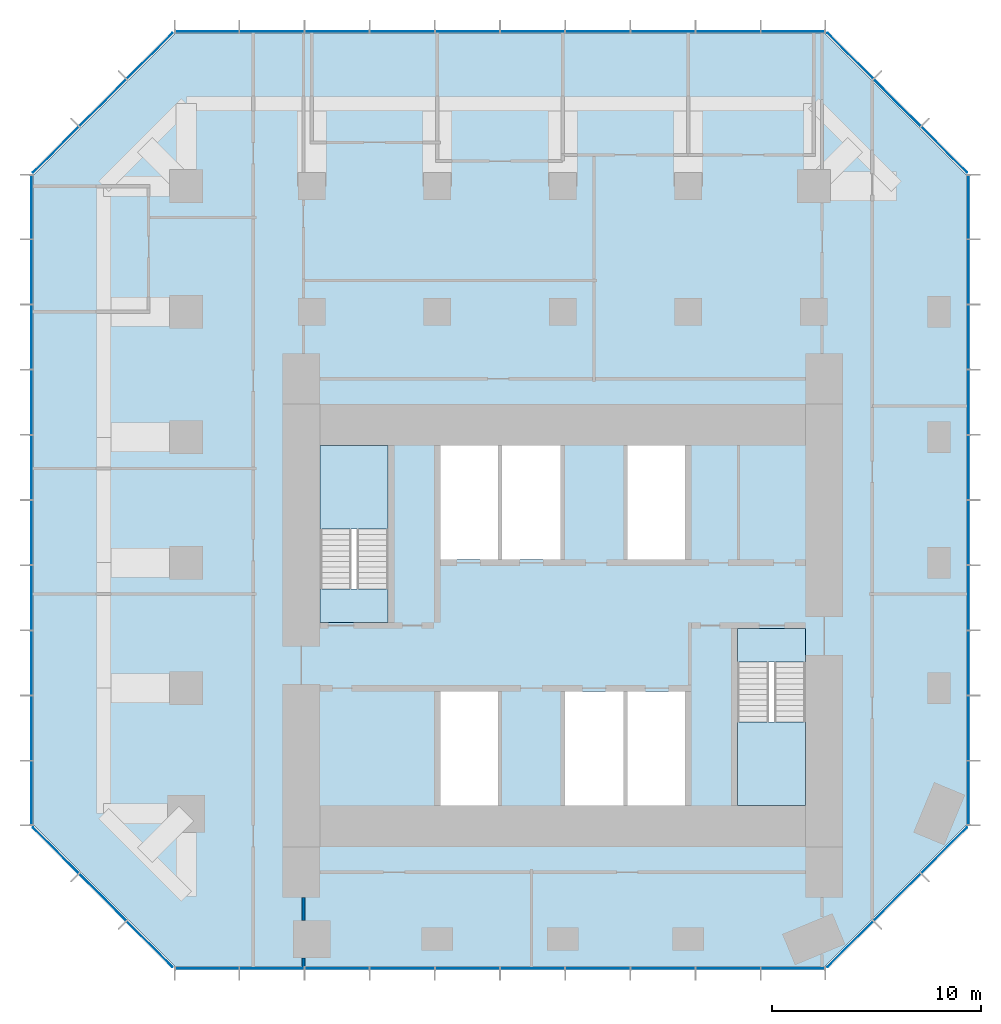
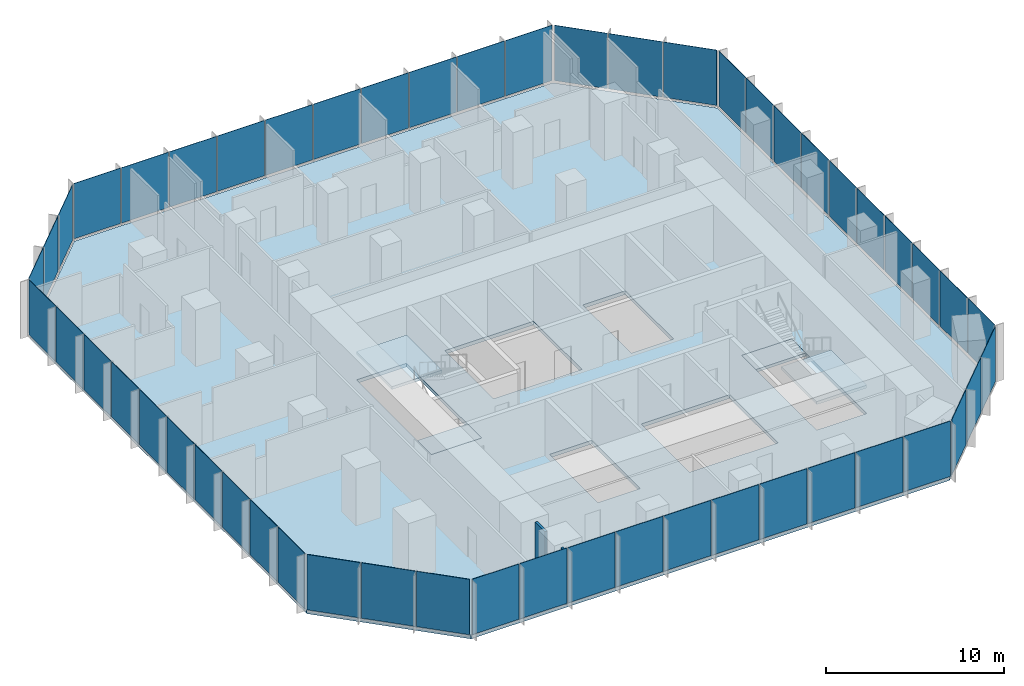
# One storey, part 7 of 11: 52 plates, 5 slabs, 2 walls, 10 elements without a shape of their own.
"""IFC4 building model written with IfcOpenShell, lengths in metres."""

from ifc_helpers import new_model, si_unit, direction, frame, frame_2d, origin, origin_2d, place, context, subcontext, project, spatial, polyline, rectangle, outline, extrude, material, layer, layer_set, type_object, element, aggregate, save


model = new_model("IFC4")

# Units and contexts
model_context = context("Model", 3, precision=1e-05, world=origin(), true_north=direction((0.0, 1.0)))
body_context = subcontext(model_context, "Body", "Model", "MODEL_VIEW")
ifc_project = project(units=[si_unit("LENGTHUNIT", "METRE"), si_unit("AREAUNIT", "SQUARE_METRE"), si_unit("VOLUMEUNIT", "CUBIC_METRE"), si_unit("PLANEANGLEUNIT", "RADIAN"), si_unit("MASSUNIT", "GRAM", prefix="KILO")], contexts=[model_context])

# Site, building, storey
site_placement = place(None, origin())
site = spatial("IfcSite", under=ifc_project, at=site_placement, CompositionType="ELEMENT")
building_placement = place(site_placement, origin())
building = spatial("IfcBuilding", under=site, at=building_placement, Name="Highveld Stack Headquarters", CompositionType="ELEMENT")
storey_placement = place(building_placement, frame((0.0, 0.0, 192.800048828125)))
storey = spatial("IfcBuildingStorey", under=building, at=storey_placement, Name="L47", CompositionType="ELEMENT", Elevation=192.800048828125)

# Curtain wall, plates
ifc_material_1 = material(Name="Aluminium bronze anodised", Category="aluminium")
ifc_layer_1 = layer(ifc_material_1, 0.199951171875)
ifc_layer_set_1 = layer_set([ifc_layer_1], Name="Aluminium bronze anodised")
curtain_wall_type_1 = type_object("IfcCurtainWallType", Name="CW1 TOWER UNITISED CURTAIN WALL", PredefinedType="NOTDEFINED", material=ifc_layer_set_1)
curtain_wall_1_placement = place(storey_placement, origin())
curtain_wall_1 = element("IfcCurtainWall", 1, at=curtain_wall_1_placement, inside=storey, type_object=curtain_wall_type_1, Name="Curtain wall CW1 L47 S", PredefinedType="NOTDEFINED")
ifc_material_2 = material(Name="Glass bronze tinted double glazed unit", Category="glass")
ifc_layer_2 = layer(ifc_material_2, 0.028076171875)
ifc_layer_set_2 = layer_set([ifc_layer_2], Name="Glass bronze tinted double glazed unit")
plate_type_1 = type_object("IfcPlateType", Name="CW1 PANEL BRONZE TINTED DOUBLE GLAZED UNIT", PredefinedType="CURTAIN_PANEL", material=ifc_layer_set_2)
plate_1_placement = place(storey_placement, frame((-11.005615234375, -13.39990234375, 0.10009765625), z_axis=(0.0, 0.0, 1.0), x_axis=(1.0, 0.0, 0.0)))
plate_1 = element("IfcPlate", 2, at=plate_1_placement, type_object=plate_type_1, Name="CW1 panel L47 1.1", PredefinedType="CURTAIN_PANEL", context=body_context, shape_type="SweptSolid", body=[
    extrude(rectangle(XDim=3.0185546875, YDim=0.028076171875, at=origin_2d()), origin(), (0.0, 0.0, 1.0), 3.800048828125),
])
plate_2_placement = place(storey_placement, frame((-7.906005859375, -13.39990234375, 0.10009765625), z_axis=(0.0, 0.0, 1.0), x_axis=(1.0, 0.0, 0.0)))
plate_2 = element("IfcPlate", 3, at=plate_2_placement, type_object=plate_type_1, Name="CW1 panel L47 2.1", PredefinedType="CURTAIN_PANEL", context=body_context, shape_type="SweptSolid", body=[
    extrude(rectangle(XDim=3.051025390625, YDim=0.028076171875, at=origin_2d()), origin(), (0.0, 0.0, 1.0), 3.800048828125),
])
plate_3_placement = place(storey_placement, frame((-4.7900390625, -13.39990234375, 0.10009765625), z_axis=(0.0, 0.0, 1.0), x_axis=(1.0, 0.0, 0.0)))
plate_3 = element("IfcPlate", 4, at=plate_3_placement, type_object=plate_type_1, Name="CW1 panel L47 3.1", PredefinedType="CURTAIN_PANEL", context=body_context, shape_type="SweptSolid", body=[
    extrude(rectangle(XDim=3.051025390625, YDim=0.028076171875, at=origin_2d()), origin(), (0.0, 0.0, 1.0), 3.800048828125),
])
plate_4_placement = place(storey_placement, frame((-1.674072265625, -13.39990234375, 0.10009765625), z_axis=(0.0, 0.0, 1.0), x_axis=(1.0, 0.0, 0.0)))
plate_4 = element("IfcPlate", 5, at=plate_4_placement, type_object=plate_type_1, Name="CW1 panel L47 4.1", PredefinedType="CURTAIN_PANEL", context=body_context, shape_type="SweptSolid", body=[
    extrude(rectangle(XDim=3.051025390625, YDim=0.028076171875, at=origin_2d()), origin(), (0.0, 0.0, 1.0), 3.800048828125),
])
plate_5_placement = place(storey_placement, frame((1.44189453125, -13.39990234375, 0.10009765625), z_axis=(0.0, 0.0, 1.0), x_axis=(1.0, 0.0, 0.0)))
plate_5 = element("IfcPlate", 6, at=plate_5_placement, type_object=plate_type_1, Name="CW1 panel L47 5.1", PredefinedType="CURTAIN_PANEL", context=body_context, shape_type="SweptSolid", body=[
    extrude(rectangle(XDim=3.051025390625, YDim=0.028076171875, at=origin_2d()), origin(), (0.0, 0.0, 1.0), 3.800048828125),
])
plate_6_placement = place(storey_placement, frame((4.55810546875, -13.39990234375, 0.10009765625), z_axis=(0.0, 0.0, 1.0), x_axis=(1.0, 0.0, 0.0)))
plate_6 = element("IfcPlate", 7, at=plate_6_placement, type_object=plate_type_1, Name="CW1 panel L47 6.1", PredefinedType="CURTAIN_PANEL", context=body_context, shape_type="SweptSolid", body=[
    extrude(rectangle(XDim=3.051025390625, YDim=0.028076171875, at=origin_2d()), origin(), (0.0, 0.0, 1.0), 3.800048828125),
])
plate_7_placement = place(storey_placement, frame((7.674072265625, -13.39990234375, 0.10009765625), z_axis=(0.0, 0.0, 1.0), x_axis=(1.0, 0.0, 0.0)))
plate_7 = element("IfcPlate", 8, at=plate_7_placement, type_object=plate_type_1, Name="CW1 panel L47 7.1", PredefinedType="CURTAIN_PANEL", context=body_context, shape_type="SweptSolid", body=[
    extrude(rectangle(XDim=3.051025390625, YDim=0.028076171875, at=origin_2d()), origin(), (0.0, 0.0, 1.0), 3.800048828125),
])
plate_8_placement = place(storey_placement, frame((10.789794921875, -13.39990234375, 0.10009765625), z_axis=(0.0, 0.0, 1.0), x_axis=(1.0, 0.0, 0.0)))
plate_8 = element("IfcPlate", 9, at=plate_8_placement, type_object=plate_type_1, Name="CW1 panel L47 8.1", PredefinedType="CURTAIN_PANEL", context=body_context, shape_type="SweptSolid", body=[
    extrude(rectangle(XDim=3.051025390625, YDim=0.028076171875, at=origin_2d()), origin(), (0.0, 0.0, 1.0), 3.800048828125),
])
plate_9_placement = place(storey_placement, frame((13.906005859375, -13.39990234375, 0.10009765625), z_axis=(0.0, 0.0, 1.0), x_axis=(1.0, 0.0, 0.0)))
plate_9 = element("IfcPlate", 10, at=plate_9_placement, type_object=plate_type_1, Name="CW1 panel L47 9.1", PredefinedType="CURTAIN_PANEL", context=body_context, shape_type="SweptSolid", body=[
    extrude(rectangle(XDim=3.051025390625, YDim=0.028076171875, at=origin_2d()), origin(), (0.0, 0.0, 1.0), 3.800048828125),
])
plate_10_placement = place(storey_placement, frame((17.005615234375, -13.39990234375, 0.10009765625), z_axis=(0.0, 0.0, 1.0), x_axis=(1.0, 0.0, 0.0)))
plate_10 = element("IfcPlate", 11, at=plate_10_placement, type_object=plate_type_1, Name="CW1 panel L47 10.1", PredefinedType="CURTAIN_PANEL", context=body_context, shape_type="SweptSolid", body=[
    extrude(rectangle(XDim=3.0185546875, YDim=0.028076171875, at=origin_2d()), origin(), (0.0, 0.0, 1.0), 3.800048828125),
])
aggregate(curtain_wall_1, [plate_1, plate_2, plate_3, plate_4, plate_5, plate_6, plate_7, plate_8, plate_9, plate_10])

curtain_wall_2_placement = place(storey_placement, origin())
curtain_wall_2 = element("IfcCurtainWall", 12, at=curtain_wall_2_placement, inside=storey, type_object=curtain_wall_type_1, Name="Curtain wall CW1 L47 E", PredefinedType="NOTDEFINED")
plate_11_placement = place(storey_placement, frame((25.39990234375, -5.005615234375, 0.10009765625), z_axis=(0.0, 0.0, 1.0), x_axis=(0.0, 1.0, 0.0)))
plate_11 = element("IfcPlate", 13, at=plate_11_placement, type_object=plate_type_1, Name="CW1 panel L47 1.1", PredefinedType="CURTAIN_PANEL", context=body_context, shape_type="SweptSolid", body=[
    extrude(rectangle(XDim=3.0185546875, YDim=0.028076171875, at=origin_2d()), origin(), (0.0, 0.0, 1.0), 3.800048828125),
])
plate_12_placement = place(storey_placement, frame((25.39990234375, -1.906005859375, 0.10009765625), z_axis=(0.0, 0.0, 1.0), x_axis=(0.0, 1.0, 0.0)))
plate_12 = element("IfcPlate", 14, at=plate_12_placement, type_object=plate_type_1, Name="CW1 panel L47 2.1", PredefinedType="CURTAIN_PANEL", context=body_context, shape_type="SweptSolid", body=[
    extrude(rectangle(XDim=3.051025390625, YDim=0.028076171875, at=origin_2d()), origin(), (0.0, 0.0, 1.0), 3.800048828125),
])
plate_13_placement = place(storey_placement, frame((25.39990234375, 1.2099609375, 0.10009765625), z_axis=(0.0, 0.0, 1.0), x_axis=(0.0, 1.0, 0.0)))
plate_13 = element("IfcPlate", 15, at=plate_13_placement, type_object=plate_type_1, Name="CW1 panel L47 3.1", PredefinedType="CURTAIN_PANEL", context=body_context, shape_type="SweptSolid", body=[
    extrude(rectangle(XDim=3.051025390625, YDim=0.028076171875, at=origin_2d()), origin(), (0.0, 0.0, 1.0), 3.800048828125),
])
plate_14_placement = place(storey_placement, frame((25.39990234375, 4.325927734375, 0.10009765625), z_axis=(0.0, 0.0, 1.0), x_axis=(0.0, 1.0, 0.0)))
plate_14 = element("IfcPlate", 16, at=plate_14_placement, type_object=plate_type_1, Name="CW1 panel L47 4.1", PredefinedType="CURTAIN_PANEL", context=body_context, shape_type="SweptSolid", body=[
    extrude(rectangle(XDim=3.051025390625, YDim=0.028076171875, at=origin_2d()), origin(), (0.0, 0.0, 1.0), 3.800048828125),
])
plate_15_placement = place(storey_placement, frame((25.39990234375, 7.44189453125, 0.10009765625), z_axis=(0.0, 0.0, 1.0), x_axis=(0.0, 1.0, 0.0)))
plate_15 = element("IfcPlate", 17, at=plate_15_placement, type_object=plate_type_1, Name="CW1 panel L47 5.1", PredefinedType="CURTAIN_PANEL", context=body_context, shape_type="SweptSolid", body=[
    extrude(rectangle(XDim=3.051025390625, YDim=0.028076171875, at=origin_2d()), origin(), (0.0, 0.0, 1.0), 3.800048828125),
])
plate_16_placement = place(storey_placement, frame((25.39990234375, 10.55810546875, 0.10009765625), z_axis=(0.0, 0.0, 1.0), x_axis=(0.0, 1.0, 0.0)))
plate_16 = element("IfcPlate", 18, at=plate_16_placement, type_object=plate_type_1, Name="CW1 panel L47 6.1", PredefinedType="CURTAIN_PANEL", context=body_context, shape_type="SweptSolid", body=[
    extrude(rectangle(XDim=3.051025390625, YDim=0.028076171875, at=origin_2d()), origin(), (0.0, 0.0, 1.0), 3.800048828125),
])
plate_17_placement = place(storey_placement, frame((25.39990234375, 13.674072265625, 0.10009765625), z_axis=(0.0, 0.0, 1.0), x_axis=(0.0, 1.0, 0.0)))
plate_17 = element("IfcPlate", 19, at=plate_17_placement, type_object=plate_type_1, Name="CW1 panel L47 7.1", PredefinedType="CURTAIN_PANEL", context=body_context, shape_type="SweptSolid", body=[
    extrude(rectangle(XDim=3.051025390625, YDim=0.028076171875, at=origin_2d()), origin(), (0.0, 0.0, 1.0), 3.800048828125),
])
plate_18_placement = place(storey_placement, frame((25.39990234375, 16.789794921875, 0.10009765625), z_axis=(0.0, 0.0, 1.0), x_axis=(0.0, 1.0, 0.0)))
plate_18 = element("IfcPlate", 20, at=plate_18_placement, type_object=plate_type_1, Name="CW1 panel L47 8.1", PredefinedType="CURTAIN_PANEL", context=body_context, shape_type="SweptSolid", body=[
    extrude(rectangle(XDim=3.051025390625, YDim=0.028076171875, at=origin_2d()), origin(), (0.0, 0.0, 1.0), 3.800048828125),
])
plate_19_placement = place(storey_placement, frame((25.39990234375, 19.906005859375, 0.10009765625), z_axis=(0.0, 0.0, 1.0), x_axis=(0.0, 1.0, 0.0)))
plate_19 = element("IfcPlate", 21, at=plate_19_placement, type_object=plate_type_1, Name="CW1 panel L47 9.1", PredefinedType="CURTAIN_PANEL", context=body_context, shape_type="SweptSolid", body=[
    extrude(rectangle(XDim=3.051025390625, YDim=0.028076171875, at=origin_2d()), origin(), (0.0, 0.0, 1.0), 3.800048828125),
])
plate_20_placement = place(storey_placement, frame((25.39990234375, 23.005615234375, 0.10009765625), z_axis=(0.0, 0.0, 1.0), x_axis=(0.0, 1.0, 0.0)))
plate_20 = element("IfcPlate", 22, at=plate_20_placement, type_object=plate_type_1, Name="CW1 panel L47 10.1", PredefinedType="CURTAIN_PANEL", context=body_context, shape_type="SweptSolid", body=[
    extrude(rectangle(XDim=3.0185546875, YDim=0.028076171875, at=origin_2d()), origin(), (0.0, 0.0, 1.0), 3.800048828125),
])
aggregate(curtain_wall_2, [plate_11, plate_12, plate_13, plate_14, plate_15, plate_16, plate_17, plate_18, plate_19, plate_20])

curtain_wall_3_placement = place(storey_placement, origin())
curtain_wall_3 = element("IfcCurtainWall", 23, at=curtain_wall_3_placement, inside=storey, type_object=curtain_wall_type_1, Name="Curtain wall CW1 L47 N", PredefinedType="NOTDEFINED")
plate_21_placement = place(storey_placement, frame((17.005615234375, 31.39990234375, 0.10009765625), z_axis=(0.0, 0.0, 1.0), x_axis=(-1.0, 0.0, 0.0)))
plate_21 = element("IfcPlate", 24, at=plate_21_placement, type_object=plate_type_1, Name="CW1 panel L47 1.1", PredefinedType="CURTAIN_PANEL", context=body_context, shape_type="SweptSolid", body=[
    extrude(rectangle(XDim=3.0185546875, YDim=0.028076171875, at=origin_2d()), origin(), (0.0, 0.0, 1.0), 3.800048828125),
])
plate_22_placement = place(storey_placement, frame((13.906005859375, 31.39990234375, 0.10009765625), z_axis=(0.0, 0.0, 1.0), x_axis=(-1.0, 0.0, 0.0)))
plate_22 = element("IfcPlate", 25, at=plate_22_placement, type_object=plate_type_1, Name="CW1 panel L47 2.1", PredefinedType="CURTAIN_PANEL", context=body_context, shape_type="SweptSolid", body=[
    extrude(rectangle(XDim=3.051025390625, YDim=0.028076171875, at=origin_2d()), origin(), (0.0, 0.0, 1.0), 3.800048828125),
])
plate_23_placement = place(storey_placement, frame((10.7900390625, 31.39990234375, 0.10009765625), z_axis=(0.0, 0.0, 1.0), x_axis=(-1.0, 0.0, 0.0)))
plate_23 = element("IfcPlate", 26, at=plate_23_placement, type_object=plate_type_1, Name="CW1 panel L47 3.1", PredefinedType="CURTAIN_PANEL", context=body_context, shape_type="SweptSolid", body=[
    extrude(rectangle(XDim=3.051025390625, YDim=0.028076171875, at=origin_2d()), origin(), (0.0, 0.0, 1.0), 3.800048828125),
])
plate_24_placement = place(storey_placement, frame((7.674072265625, 31.39990234375, 0.10009765625), z_axis=(0.0, 0.0, 1.0), x_axis=(-1.0, 0.0, 0.0)))
plate_24 = element("IfcPlate", 27, at=plate_24_placement, type_object=plate_type_1, Name="CW1 panel L47 4.1", PredefinedType="CURTAIN_PANEL", context=body_context, shape_type="SweptSolid", body=[
    extrude(rectangle(XDim=3.051025390625, YDim=0.028076171875, at=origin_2d()), origin(), (0.0, 0.0, 1.0), 3.800048828125),
])
plate_25_placement = place(storey_placement, frame((4.55810546875, 31.39990234375, 0.10009765625), z_axis=(0.0, 0.0, 1.0), x_axis=(-1.0, 0.0, 0.0)))
plate_25 = element("IfcPlate", 28, at=plate_25_placement, type_object=plate_type_1, Name="CW1 panel L47 5.1", PredefinedType="CURTAIN_PANEL", context=body_context, shape_type="SweptSolid", body=[
    extrude(rectangle(XDim=3.051025390625, YDim=0.028076171875, at=origin_2d()), origin(), (0.0, 0.0, 1.0), 3.800048828125),
])
plate_26_placement = place(storey_placement, frame((1.44189453125, 31.39990234375, 0.10009765625), z_axis=(0.0, 0.0, 1.0), x_axis=(-1.0, 0.0, 0.0)))
plate_26 = element("IfcPlate", 29, at=plate_26_placement, type_object=plate_type_1, Name="CW1 panel L47 6.1", PredefinedType="CURTAIN_PANEL", context=body_context, shape_type="SweptSolid", body=[
    extrude(rectangle(XDim=3.051025390625, YDim=0.028076171875, at=origin_2d()), origin(), (0.0, 0.0, 1.0), 3.800048828125),
])
plate_27_placement = place(storey_placement, frame((-1.674072265625, 31.39990234375, 0.10009765625), z_axis=(0.0, 0.0, 1.0), x_axis=(-1.0, 0.0, 0.0)))
plate_27 = element("IfcPlate", 30, at=plate_27_placement, type_object=plate_type_1, Name="CW1 panel L47 7.1", PredefinedType="CURTAIN_PANEL", context=body_context, shape_type="SweptSolid", body=[
    extrude(rectangle(XDim=3.051025390625, YDim=0.028076171875, at=origin_2d()), origin(), (0.0, 0.0, 1.0), 3.800048828125),
])
plate_28_placement = place(storey_placement, frame((-4.789794921875, 31.39990234375, 0.10009765625), z_axis=(0.0, 0.0, 1.0), x_axis=(-1.0, 0.0, 0.0)))
plate_28 = element("IfcPlate", 31, at=plate_28_placement, type_object=plate_type_1, Name="CW1 panel L47 8.1", PredefinedType="CURTAIN_PANEL", context=body_context, shape_type="SweptSolid", body=[
    extrude(rectangle(XDim=3.051025390625, YDim=0.028076171875, at=origin_2d()), origin(), (0.0, 0.0, 1.0), 3.800048828125),
])
plate_29_placement = place(storey_placement, frame((-7.906005859375, 31.39990234375, 0.10009765625), z_axis=(0.0, 0.0, 1.0), x_axis=(-1.0, 0.0, 0.0)))
plate_29 = element("IfcPlate", 32, at=plate_29_placement, type_object=plate_type_1, Name="CW1 panel L47 9.1", PredefinedType="CURTAIN_PANEL", context=body_context, shape_type="SweptSolid", body=[
    extrude(rectangle(XDim=3.051025390625, YDim=0.028076171875, at=origin_2d()), origin(), (0.0, 0.0, 1.0), 3.800048828125),
])
plate_30_placement = place(storey_placement, frame((-11.005615234375, 31.39990234375, 0.10009765625), z_axis=(0.0, 0.0, 1.0), x_axis=(-1.0, 0.0, 0.0)))
plate_30 = element("IfcPlate", 33, at=plate_30_placement, type_object=plate_type_1, Name="CW1 panel L47 10.1", PredefinedType="CURTAIN_PANEL", context=body_context, shape_type="SweptSolid", body=[
    extrude(rectangle(XDim=3.0185546875, YDim=0.028076171875, at=origin_2d()), origin(), (0.0, 0.0, 1.0), 3.800048828125),
])
aggregate(curtain_wall_3, [plate_21, plate_22, plate_23, plate_24, plate_25, plate_26, plate_27, plate_28, plate_29, plate_30])

curtain_wall_4_placement = place(storey_placement, origin())
curtain_wall_4 = element("IfcCurtainWall", 34, at=curtain_wall_4_placement, inside=storey, type_object=curtain_wall_type_1, Name="Curtain wall CW1 L47 W", PredefinedType="NOTDEFINED")
plate_31_placement = place(storey_placement, frame((-19.39990234375, 23.005615234375, 0.10009765625), z_axis=(0.0, 0.0, 1.0), x_axis=(0.0, -1.0, 0.0)))
plate_31 = element("IfcPlate", 35, at=plate_31_placement, type_object=plate_type_1, Name="CW1 panel L47 1.1", PredefinedType="CURTAIN_PANEL", context=body_context, shape_type="SweptSolid", body=[
    extrude(rectangle(XDim=3.0185546875, YDim=0.028076171875, at=origin_2d()), origin(), (0.0, 0.0, 1.0), 3.800048828125),
])
plate_32_placement = place(storey_placement, frame((-19.39990234375, 19.906005859375, 0.10009765625), z_axis=(0.0, 0.0, 1.0), x_axis=(0.0, -1.0, 0.0)))
plate_32 = element("IfcPlate", 36, at=plate_32_placement, type_object=plate_type_1, Name="CW1 panel L47 2.1", PredefinedType="CURTAIN_PANEL", context=body_context, shape_type="SweptSolid", body=[
    extrude(rectangle(XDim=3.051025390625, YDim=0.028076171875, at=origin_2d()), origin(), (0.0, 0.0, 1.0), 3.800048828125),
])
plate_33_placement = place(storey_placement, frame((-19.39990234375, 16.7900390625, 0.10009765625), z_axis=(0.0, 0.0, 1.0), x_axis=(0.0, -1.0, 0.0)))
plate_33 = element("IfcPlate", 37, at=plate_33_placement, type_object=plate_type_1, Name="CW1 panel L47 3.1", PredefinedType="CURTAIN_PANEL", context=body_context, shape_type="SweptSolid", body=[
    extrude(rectangle(XDim=3.051025390625, YDim=0.028076171875, at=origin_2d()), origin(), (0.0, 0.0, 1.0), 3.800048828125),
])
plate_34_placement = place(storey_placement, frame((-19.39990234375, 13.674072265625, 0.10009765625), z_axis=(0.0, 0.0, 1.0), x_axis=(0.0, -1.0, 0.0)))
plate_34 = element("IfcPlate", 38, at=plate_34_placement, type_object=plate_type_1, Name="CW1 panel L47 4.1", PredefinedType="CURTAIN_PANEL", context=body_context, shape_type="SweptSolid", body=[
    extrude(rectangle(XDim=3.051025390625, YDim=0.028076171875, at=origin_2d()), origin(), (0.0, 0.0, 1.0), 3.800048828125),
])
plate_35_placement = place(storey_placement, frame((-19.39990234375, 10.55810546875, 0.10009765625), z_axis=(0.0, 0.0, 1.0), x_axis=(0.0, -1.0, 0.0)))
plate_35 = element("IfcPlate", 39, at=plate_35_placement, type_object=plate_type_1, Name="CW1 panel L47 5.1", PredefinedType="CURTAIN_PANEL", context=body_context, shape_type="SweptSolid", body=[
    extrude(rectangle(XDim=3.051025390625, YDim=0.028076171875, at=origin_2d()), origin(), (0.0, 0.0, 1.0), 3.800048828125),
])
plate_36_placement = place(storey_placement, frame((-19.39990234375, 7.44189453125, 0.10009765625), z_axis=(0.0, 0.0, 1.0), x_axis=(0.0, -1.0, 0.0)))
plate_36 = element("IfcPlate", 40, at=plate_36_placement, type_object=plate_type_1, Name="CW1 panel L47 6.1", PredefinedType="CURTAIN_PANEL", context=body_context, shape_type="SweptSolid", body=[
    extrude(rectangle(XDim=3.051025390625, YDim=0.028076171875, at=origin_2d()), origin(), (0.0, 0.0, 1.0), 3.800048828125),
])
plate_37_placement = place(storey_placement, frame((-19.39990234375, 4.325927734375, 0.10009765625), z_axis=(0.0, 0.0, 1.0), x_axis=(0.0, -1.0, 0.0)))
plate_37 = element("IfcPlate", 41, at=plate_37_placement, type_object=plate_type_1, Name="CW1 panel L47 7.1", PredefinedType="CURTAIN_PANEL", context=body_context, shape_type="SweptSolid", body=[
    extrude(rectangle(XDim=3.051025390625, YDim=0.028076171875, at=origin_2d()), origin(), (0.0, 0.0, 1.0), 3.800048828125),
])
plate_38_placement = place(storey_placement, frame((-19.39990234375, 1.210205078125, 0.10009765625), z_axis=(0.0, 0.0, 1.0), x_axis=(0.0, -1.0, 0.0)))
plate_38 = element("IfcPlate", 42, at=plate_38_placement, type_object=plate_type_1, Name="CW1 panel L47 8.1", PredefinedType="CURTAIN_PANEL", context=body_context, shape_type="SweptSolid", body=[
    extrude(rectangle(XDim=3.051025390625, YDim=0.028076171875, at=origin_2d()), origin(), (0.0, 0.0, 1.0), 3.800048828125),
])
plate_39_placement = place(storey_placement, frame((-19.39990234375, -1.906005859375, 0.10009765625), z_axis=(0.0, 0.0, 1.0), x_axis=(0.0, -1.0, 0.0)))
plate_39 = element("IfcPlate", 43, at=plate_39_placement, type_object=plate_type_1, Name="CW1 panel L47 9.1", PredefinedType="CURTAIN_PANEL", context=body_context, shape_type="SweptSolid", body=[
    extrude(rectangle(XDim=3.051025390625, YDim=0.028076171875, at=origin_2d()), origin(), (0.0, 0.0, 1.0), 3.800048828125),
])
plate_40_placement = place(storey_placement, frame((-19.39990234375, -5.005615234375, 0.10009765625), z_axis=(0.0, 0.0, 1.0), x_axis=(0.0, -1.0, 0.0)))
plate_40 = element("IfcPlate", 44, at=plate_40_placement, type_object=plate_type_1, Name="CW1 panel L47 10.1", PredefinedType="CURTAIN_PANEL", context=body_context, shape_type="SweptSolid", body=[
    extrude(rectangle(XDim=3.0185546875, YDim=0.028076171875, at=origin_2d()), origin(), (0.0, 0.0, 1.0), 3.800048828125),
])
aggregate(curtain_wall_4, [plate_31, plate_32, plate_33, plate_34, plate_35, plate_36, plate_37, plate_38, plate_39, plate_40])

ifc_material_3 = material(Name="Aluminium bronze anodised", Category="aluminium")
ifc_layer_3 = layer(ifc_material_3, 0.199951171875)
ifc_layer_set_3 = layer_set([ifc_layer_3], Name="Aluminium bronze anodised")
curtain_wall_type_2 = type_object("IfcCurtainWallType", Name="CW2 TOWER CHAMFER UNITISED CURTAIN WALL", PredefinedType="NOTDEFINED", material=ifc_layer_set_3)
curtain_wall_5_placement = place(storey_placement, origin())
curtain_wall_5 = element("IfcCurtainWall", 45, at=curtain_wall_5_placement, inside=storey, type_object=curtain_wall_type_2, Name="Curtain wall CW2 L47 SE", PredefinedType="NOTDEFINED")
ifc_material_4 = material(Name="Glass bronze tinted double glazed unit", Category="glass")
ifc_layer_4 = layer(ifc_material_4, 0.028076171875)
ifc_layer_set_4 = layer_set([ifc_layer_4], Name="Glass bronze tinted double glazed unit")
plate_type_2 = type_object("IfcPlateType", Name="CW2 PANEL BRONZE TINTED DOUBLE GLAZED UNIT", PredefinedType="CURTAIN_PANEL", material=ifc_layer_set_4)
plate_41_placement = place(storey_placement, frame((19.740478515625, -12.239501953125, 0.10009765625), z_axis=(0.0, 0.0, 1.0), x_axis=(0.707106781187, 0.707106781187, 0.0)))
plate_41 = element("IfcPlate", 46, at=plate_41_placement, type_object=plate_type_2, Name="CW2 panel L47 1.1", PredefinedType="CURTAIN_PANEL", context=body_context, shape_type="SweptSolid", body=[
    extrude(rectangle(XDim=3.08251953125, YDim=0.028076171875, at=origin_2d()), origin(), (0.0, 0.0, 1.0), 3.800048828125),
])
plate_42_placement = place(storey_placement, frame((21.989990234375, -9.989990234375, 0.10009765625), z_axis=(0.0, 0.0, 1.0), x_axis=(0.707106781187, 0.707106781187, 0.0)))
plate_42 = element("IfcPlate", 47, at=plate_42_placement, type_object=plate_type_2, Name="CW2 panel L47 2.1", PredefinedType="CURTAIN_PANEL", context=body_context, shape_type="SweptSolid", body=[
    extrude(rectangle(XDim=3.14990234375, YDim=0.028076171875, at=origin_2d()), origin(), (0.0, 0.0, 1.0), 3.800048828125),
])
plate_43_placement = place(storey_placement, frame((24.239501953125, -7.740478515625, 0.10009765625), z_axis=(0.0, 0.0, 1.0), x_axis=(0.707106781187, 0.707106781187, 0.0)))
plate_43 = element("IfcPlate", 48, at=plate_43_placement, type_object=plate_type_2, Name="CW2 panel L47 3.1", PredefinedType="CURTAIN_PANEL", context=body_context, shape_type="SweptSolid", body=[
    extrude(rectangle(XDim=3.08251953125, YDim=0.028076171875, at=origin_2d()), origin(), (0.0, 0.0, 1.0), 3.800048828125),
])
aggregate(curtain_wall_5, [plate_41, plate_42, plate_43])

curtain_wall_6_placement = place(storey_placement, origin())
curtain_wall_6 = element("IfcCurtainWall", 49, at=curtain_wall_6_placement, inside=storey, type_object=curtain_wall_type_2, Name="Curtain wall CW2 L47 NE", PredefinedType="NOTDEFINED")
plate_44_placement = place(storey_placement, frame((24.239501953125, 25.740478515625, 0.10009765625), z_axis=(0.0, 0.0, 1.0), x_axis=(-0.707106781187, 0.707106781187, 0.0)))
plate_44 = element("IfcPlate", 50, at=plate_44_placement, type_object=plate_type_2, Name="CW2 panel L47 1.1", PredefinedType="CURTAIN_PANEL", context=body_context, shape_type="SweptSolid", body=[
    extrude(rectangle(XDim=3.08251953125, YDim=0.028076171875, at=origin_2d()), origin(), (0.0, 0.0, 1.0), 3.800048828125),
])
plate_45_placement = place(storey_placement, frame((21.989990234375, 27.989990234375, 0.10009765625), z_axis=(0.0, 0.0, 1.0), x_axis=(-0.707106781187, 0.707106781187, 0.0)))
plate_45 = element("IfcPlate", 51, at=plate_45_placement, type_object=plate_type_2, Name="CW2 panel L47 2.1", PredefinedType="CURTAIN_PANEL", context=body_context, shape_type="SweptSolid", body=[
    extrude(rectangle(XDim=3.14990234375, YDim=0.028076171875, at=origin_2d()), origin(), (0.0, 0.0, 1.0), 3.800048828125),
])
plate_46_placement = place(storey_placement, frame((19.740478515625, 30.239501953125, 0.10009765625), z_axis=(0.0, 0.0, 1.0), x_axis=(-0.707106781187, 0.707106781187, 0.0)))
plate_46 = element("IfcPlate", 52, at=plate_46_placement, type_object=plate_type_2, Name="CW2 panel L47 3.1", PredefinedType="CURTAIN_PANEL", context=body_context, shape_type="SweptSolid", body=[
    extrude(rectangle(XDim=3.08251953125, YDim=0.028076171875, at=origin_2d()), origin(), (0.0, 0.0, 1.0), 3.800048828125),
])
aggregate(curtain_wall_6, [plate_44, plate_45, plate_46])

curtain_wall_7_placement = place(storey_placement, origin())
curtain_wall_7 = element("IfcCurtainWall", 53, at=curtain_wall_7_placement, inside=storey, type_object=curtain_wall_type_2, Name="Curtain wall CW2 L47 NW", PredefinedType="NOTDEFINED")
plate_47_placement = place(storey_placement, frame((-13.740478515625, 30.239501953125, 0.10009765625), z_axis=(0.0, 0.0, 1.0), x_axis=(-0.707106781187, -0.707106781187, 0.0)))
plate_47 = element("IfcPlate", 54, at=plate_47_placement, type_object=plate_type_2, Name="CW2 panel L47 1.1", PredefinedType="CURTAIN_PANEL", context=body_context, shape_type="SweptSolid", body=[
    extrude(rectangle(XDim=3.08251953125, YDim=0.028076171875, at=origin_2d()), origin(), (0.0, 0.0, 1.0), 3.800048828125),
])
plate_48_placement = place(storey_placement, frame((-15.989990234375, 27.989990234375, 0.10009765625), z_axis=(0.0, 0.0, 1.0), x_axis=(-0.707106781187, -0.707106781187, 0.0)))
plate_48 = element("IfcPlate", 55, at=plate_48_placement, type_object=plate_type_2, Name="CW2 panel L47 2.1", PredefinedType="CURTAIN_PANEL", context=body_context, shape_type="SweptSolid", body=[
    extrude(rectangle(XDim=3.14990234375, YDim=0.028076171875, at=origin_2d()), origin(), (0.0, 0.0, 1.0), 3.800048828125),
])
plate_49_placement = place(storey_placement, frame((-18.239501953125, 25.740478515625, 0.10009765625), z_axis=(0.0, 0.0, 1.0), x_axis=(-0.707106781187, -0.707106781187, 0.0)))
plate_49 = element("IfcPlate", 56, at=plate_49_placement, type_object=plate_type_2, Name="CW2 panel L47 3.1", PredefinedType="CURTAIN_PANEL", context=body_context, shape_type="SweptSolid", body=[
    extrude(rectangle(XDim=3.08251953125, YDim=0.028076171875, at=origin_2d()), origin(), (0.0, 0.0, 1.0), 3.800048828125),
])
aggregate(curtain_wall_7, [plate_47, plate_48, plate_49])

curtain_wall_8_placement = place(storey_placement, origin())
curtain_wall_8 = element("IfcCurtainWall", 57, at=curtain_wall_8_placement, inside=storey, type_object=curtain_wall_type_2, Name="Curtain wall CW2 L47 SW", PredefinedType="NOTDEFINED")
plate_50_placement = place(storey_placement, frame((-18.239501953125, -7.740478515625, 0.10009765625), z_axis=(0.0, 0.0, 1.0), x_axis=(0.707106781187, -0.707106781187, 0.0)))
plate_50 = element("IfcPlate", 58, at=plate_50_placement, type_object=plate_type_2, Name="CW2 panel L47 1.1", PredefinedType="CURTAIN_PANEL", context=body_context, shape_type="SweptSolid", body=[
    extrude(rectangle(XDim=3.08251953125, YDim=0.028076171875, at=origin_2d()), origin(), (0.0, 0.0, 1.0), 3.800048828125),
])
plate_51_placement = place(storey_placement, frame((-15.989990234375, -9.989990234375, 0.10009765625), z_axis=(0.0, 0.0, 1.0), x_axis=(0.707106781187, -0.707106781187, 0.0)))
plate_51 = element("IfcPlate", 59, at=plate_51_placement, type_object=plate_type_2, Name="CW2 panel L47 2.1", PredefinedType="CURTAIN_PANEL", context=body_context, shape_type="SweptSolid", body=[
    extrude(rectangle(XDim=3.14990234375, YDim=0.028076171875, at=origin_2d()), origin(), (0.0, 0.0, 1.0), 3.800048828125),
])
plate_52_placement = place(storey_placement, frame((-13.740478515625, -12.239501953125, 0.10009765625), z_axis=(0.0, 0.0, 1.0), x_axis=(0.707106781187, -0.707106781187, 0.0)))
plate_52 = element("IfcPlate", 60, at=plate_52_placement, type_object=plate_type_2, Name="CW2 panel L47 3.1", PredefinedType="CURTAIN_PANEL", context=body_context, shape_type="SweptSolid", body=[
    extrude(rectangle(XDim=3.08251953125, YDim=0.028076171875, at=origin_2d()), origin(), (0.0, 0.0, 1.0), 3.800048828125),
])
aggregate(curtain_wall_8, [plate_50, plate_51, plate_52])

# Slab
ifc_material_5 = material(Name="Concrete C60/75", Category="concrete")
ifc_layer_5 = layer(ifc_material_5, 0.25)
ifc_layer_set_5 = layer_set([ifc_layer_5], Name="Concrete C60/75")
slab_type_1 = type_object("IfcSlabType", Name="PT FLAT SLAB 250", PredefinedType="FLOOR", material=ifc_layer_set_5)
slab_1_placement = place(storey_placement, frame((0.0, 0.0, -0.25)))
element("IfcSlab", 61, at=slab_1_placement, inside=storey, type_object=slab_type_1, Name="Floor slab L47", PredefinedType="FLOOR", context=body_context, shape_type="SweptSolid", body=[
    extrude(outline(polyline([(-12.53857421875, -13.300048828125), (18.53857421875, -13.300048828125), (25.300048828125, -6.53857421875), (25.300048828125, 24.53857421875), (18.53857421875, 31.300048828125), (-12.53857421875, 31.300048828125), (-19.300048828125, 24.53857421875), (-19.300048828125, -6.53857421875), (-12.53857421875, -13.300048828125)]), holes=[polyline([(0.14990234375, 6.14990234375), (5.89990234375, 6.14990234375), (5.89990234375, 11.60009765625), (0.14990234375, 11.60009765625), (0.14990234375, 6.14990234375)]), polyline([(9.10009765625, 6.14990234375), (11.85009765625, 6.14990234375), (11.85009765625, 11.60009765625), (9.10009765625, 11.60009765625), (9.10009765625, 6.14990234375)]), polyline([(6.10009765625, -5.60009765625), (11.85009765625, -5.60009765625), (11.85009765625, -0.14990234375), (6.10009765625, -0.14990234375), (6.10009765625, -5.60009765625)]), polyline([(0.14990234375, -5.60009765625), (2.89990234375, -5.60009765625), (2.89990234375, -0.14990234375), (0.14990234375, -0.14990234375), (0.14990234375, -5.60009765625)]), polyline([(-5.60009765625, 3.14990234375), (-2.35009765625, 3.14990234375), (-2.35009765625, 11.60009765625), (-5.60009765625, 11.60009765625), (-5.60009765625, 3.14990234375)]), polyline([(14.35009765625, -5.60009765625), (17.60009765625, -5.60009765625), (17.60009765625, 2.85009765625), (14.35009765625, 2.85009765625), (14.35009765625, -5.60009765625)])]), origin(), (0.0, 0.0, 1.0), 0.25),
])

# Stair, slabs
ifc_material_6 = material(Name="Concrete C40/50, precast", Category="concrete")
stair_type_1 = type_object("IfcStairType", Name="STAIR S1 HALF TURN 1500", PredefinedType="HALF_TURN_STAIR", material=ifc_material_6)
stair_1_placement = place(storey_placement, origin())
stair_1 = element("IfcStair", 62, at=stair_1_placement, inside=storey, type_object=stair_type_1, Name="Stair S1 L47", PredefinedType="HALF_TURN_STAIR")
ifc_material_7 = material(Name="Concrete C40/50, precast", Category="concrete")
ifc_layer_6 = layer(ifc_material_7, 0.199951171875)
ifc_layer_set_6 = layer_set([ifc_layer_6], Name="Concrete C40/50, precast")
slab_type_2 = type_object("IfcSlabType", Name="STAIR LANDING 200", PredefinedType="LANDING", material=ifc_layer_set_6)
slab_2_placement = place(storey_placement, frame((0.0, 0.0, 1.75)))
slab_2 = element("IfcSlab", 63, at=slab_2_placement, type_object=slab_type_2, Name="S1 landing 1", PredefinedType="LANDING", context=body_context, shape_type="SweptSolid", body=[
    extrude(outline(polyline([(-5.60009765625, 7.610107421875), (-2.35009765625, 7.610107421875), (-2.35009765625, 11.60009765625), (-5.60009765625, 11.60009765625), (-5.60009765625, 7.610107421875)])), origin(), (0.0, 0.0, 1.0), 0.199951171875),
])
slab_3_placement = place(storey_placement, frame((0.0, 0.0, -0.199951171875)))
slab_3 = element("IfcSlab", 64, at=slab_3_placement, type_object=slab_type_2, Name="S1 landing 2", PredefinedType="LANDING", context=body_context, shape_type="SweptSolid", body=[
    extrude(outline(polyline([(-5.60009765625, 3.14990234375), (-2.35009765625, 3.14990234375), (-2.35009765625, 4.75), (-5.60009765625, 4.75), (-5.60009765625, 3.14990234375)])), origin(), (0.0, 0.0, 1.0), 0.199951171875),
])
aggregate(stair_1, [slab_2, slab_3])

ifc_material_8 = material(Name="Concrete C40/50, precast", Category="concrete")
stair_type_2 = type_object("IfcStairType", Name="STAIR S2 HALF TURN 1500", PredefinedType="HALF_TURN_STAIR", material=ifc_material_8)
stair_2_placement = place(storey_placement, origin())
stair_2 = element("IfcStair", 65, at=stair_2_placement, inside=storey, type_object=stair_type_2, Name="Stair S2 L47", PredefinedType="HALF_TURN_STAIR")
slab_4_placement = place(storey_placement, frame((0.0, 0.0, 1.75)))
slab_4 = element("IfcSlab", 66, at=slab_4_placement, type_object=slab_type_2, Name="S2 landing 1", PredefinedType="LANDING", context=body_context, shape_type="SweptSolid", body=[
    extrude(outline(polyline([(14.35009765625, -5.60009765625), (17.60009765625, -5.60009765625), (17.60009765625, -1.610107421875), (14.35009765625, -1.610107421875), (14.35009765625, -5.60009765625)])), origin(), (0.0, 0.0, 1.0), 0.199951171875),
])
slab_5_placement = place(storey_placement, frame((0.0, 0.0, -0.199951171875)))
slab_5 = element("IfcSlab", 67, at=slab_5_placement, type_object=slab_type_2, Name="S2 landing 2", PredefinedType="LANDING", context=body_context, shape_type="SweptSolid", body=[
    extrude(outline(polyline([(14.35009765625, 1.25), (17.60009765625, 1.25), (17.60009765625, 2.85009765625), (14.35009765625, 2.85009765625), (14.35009765625, 1.25)])), origin(), (0.0, 0.0, 1.0), 0.199951171875),
])
aggregate(stair_2, [slab_4, slab_5])

# Walls
ifc_material_9 = material(Name="Gypsum plasterboard on steel studs", Category="steel")
ifc_layer_7 = layer(ifc_material_9, 0.14990234375)
ifc_layer_set_7 = layer_set([ifc_layer_7], Name="Gypsum plasterboard on steel studs")
wall_type = type_object("IfcWallType", Name="PARTITION 150 PLASTERBOARD", PredefinedType="PARTITIONING", material=ifc_layer_set_7)
wall_1_placement = place(storey_placement, frame((-6.39990234375, -13.35009765625, 0.0), z_axis=(0.0, 0.0, 1.0), x_axis=(0.0, 1.0, 0.0)))
element("IfcWall", 68, at=wall_1_placement, inside=storey, type_object=wall_type, Name="Partition office neighbourhood L47", PredefinedType="PARTITIONING", context=body_context, shape_type="SweptSolid", body=[
    extrude(rectangle(XDim=0.4501953125, YDim=0.14990234375, at=frame_2d((0.22509765625, 0.0))), origin(), (0.0, 0.0, 1.0), 3.64990234375),
])
wall_2_placement = place(storey_placement, frame((-6.39990234375, -11.10009765625, 0.0), z_axis=(0.0, 0.0, 1.0), x_axis=(0.0, 1.0, 0.0)))
element("IfcWall", 69, at=wall_2_placement, inside=storey, type_object=wall_type, Name="Partition office neighbourhood L47", PredefinedType="PARTITIONING", context=body_context, shape_type="SweptSolid", body=[
    extrude(rectangle(XDim=1.10009765625, YDim=0.14990234375, at=frame_2d((0.550048828125, 0.0))), origin(), (0.0, 0.0, 1.0), 3.64990234375),
])

save(model, "model.ifc")
